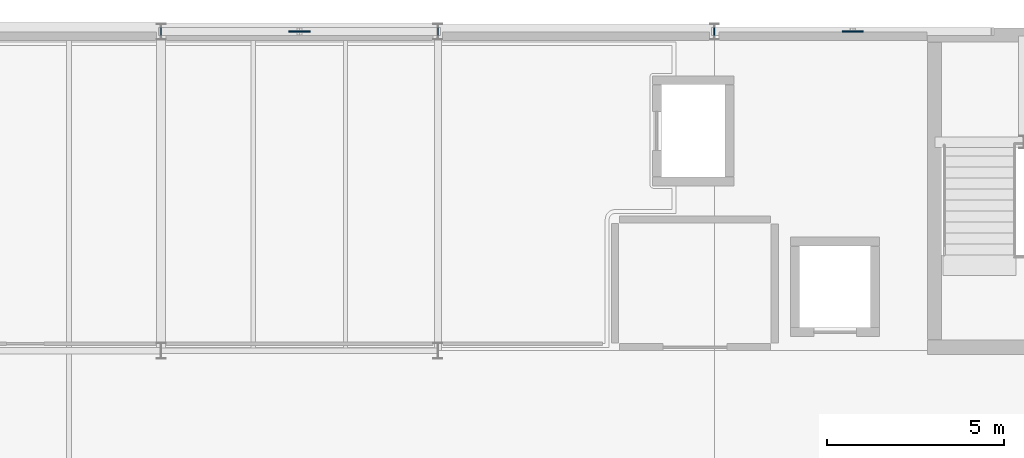
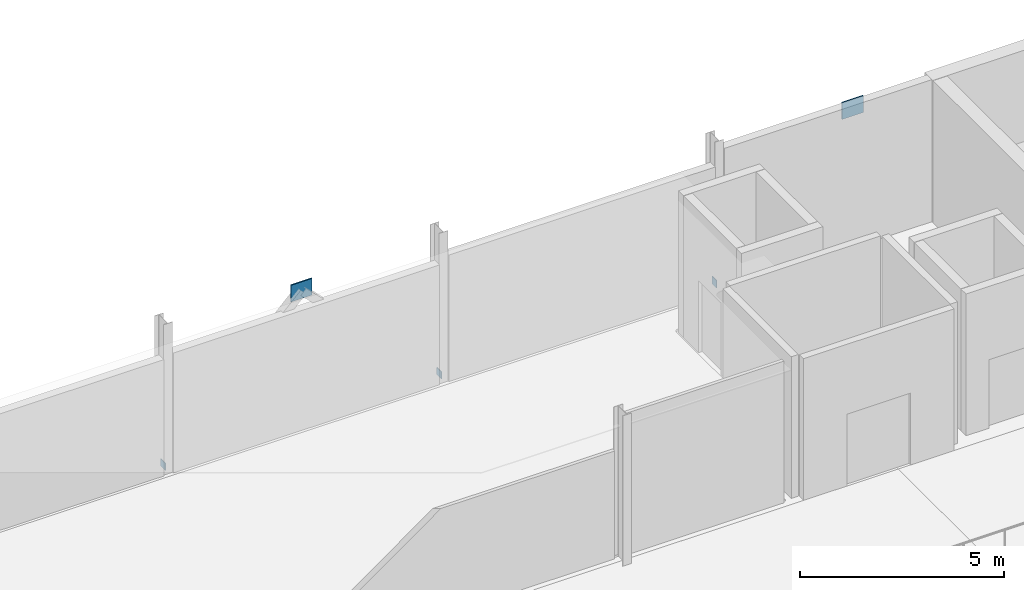
# One storey, part 70 of 85: 5 plates.
"""IFC4 building model written with IfcOpenShell, lengths in metres."""

from ifc_helpers import new_model, si_unit, derived_unit, direction, frame, origin, origin_2d, place, context, subcontext, project, spatial, rectangle, extrude, material, layer, layer_set, type_object, element, save


model = new_model("IFC4")

# Units and contexts
model_context = context("Model", 3, precision=1e-05, world=origin(), true_north=direction((0.0, 1.0)))
body_context = subcontext(model_context, "Body", "Model", "MODEL_VIEW")
ifc_project = project(units=[si_unit("LENGTHUNIT", "METRE"), si_unit("AREAUNIT", "SQUARE_METRE"), si_unit("VOLUMEUNIT", "CUBIC_METRE"), si_unit("PLANEANGLEUNIT", "RADIAN"), si_unit("MASSUNIT", "GRAM", prefix="KILO"), derived_unit("THERMALTRANSMITTANCEUNIT", [(si_unit("POWERUNIT", "WATT"), 1), (si_unit("LENGTHUNIT", "METRE"), -2), (si_unit("THERMODYNAMICTEMPERATUREUNIT", "KELVIN"), -1)])], contexts=[model_context])

# Site, building, storey
site_placement = place(None, origin())
site = spatial("IfcSite", under=ifc_project, at=site_placement, CompositionType="ELEMENT")
building_placement = place(site_placement, origin())
building = spatial("IfcBuilding", under=site, at=building_placement, Name="Nallur Shell Playhouse", CompositionType="ELEMENT")
storey_placement = place(building_placement, frame((0.0, 0.0, 19.800048828125)))
storey = spatial("IfcBuildingStorey", under=building, at=storey_placement, Name="L05", CompositionType="ELEMENT", Elevation=19.800048828125)

# Plates
ifc_material = material(Name="Steel E350", Category="steel")
ifc_layer_1 = layer(ifc_material, 0.02001953125)
ifc_layer_set_1 = layer_set([ifc_layer_1], Name="Steel E350")
plate_type_1 = type_object("IfcPlateType", Name="PT-ENDCAP-20", PredefinedType="SHEET", material=ifc_layer_set_1)
for number, where, z_axis, x_axis, name in (
    (1, (71.79296875, 83.0, 0.03271484375), (0.0, 0.0, 1.0), (1.0, 0.0, 0.0), "Hollow end cap EC-BR-FT-L05-037-0"),
    (2, (79.607177734375, 83.0, 0.03271484375), (0.0, 0.0, 1.0), (1.0, 0.0, 0.0), "Hollow end cap EC-BR-FT-L05-038-0"),
    (3, (87.392822265625, 83.0, 0.03271484375), (0.0, 0.0, 1.0), (1.0, 0.0, 0.0), "Hollow end cap EC-BR-FT-L05-039-0"),
):
    element("IfcPlate", number, at=place(storey_placement, frame(where, z_axis=z_axis, x_axis=x_axis)), inside=storey, type_object=plate_type_1, Name=name, PredefinedType="SHEET", context=body_context, shape_type="SweptSolid", body=[
        extrude(rectangle(XDim=0.02001953125, YDim=0.219970703125, at=origin_2d()), origin(), (0.0, 0.0, 1.0), 0.219970703125),
    ])
ifc_layer_2 = layer(ifc_material, 0.034912109375)
ifc_layer_set_2 = layer_set([ifc_layer_2], Name="Steel E350")
plate_type_2 = type_object("IfcPlateType", Name="PT-GUSSET-35", PredefinedType="USERDEFINED", material=ifc_layer_set_2)
for number, where, z_axis, x_axis, name in (
    (4, (75.699951171875, 83.0, 3.75), (0.0, 0.0, 1.0), (1.0, 0.0, 0.0), "Fly tower chevron node gusset plate TN-02 (L05)"),
    (5, (91.300048828125, 83.0, 3.75), (0.0, 0.0, 1.0), (1.0, 0.0, 0.0), "Fly tower chevron node gusset plate TN-02 (L05)"),
):
    element("IfcPlate", number, at=place(storey_placement, frame(where, z_axis=z_axis, x_axis=x_axis)), inside=storey, type_object=plate_type_2, Name=name, ObjectType="GUSSET PLATE", PredefinedType="USERDEFINED", context=body_context, shape_type="SweptSolid", body=[
        extrude(rectangle(XDim=0.60009765625, YDim=0.034912109375, at=origin_2d()), origin(), (0.0, 0.0, 1.0), 0.5),
    ])

save(model, "model.ifc")
